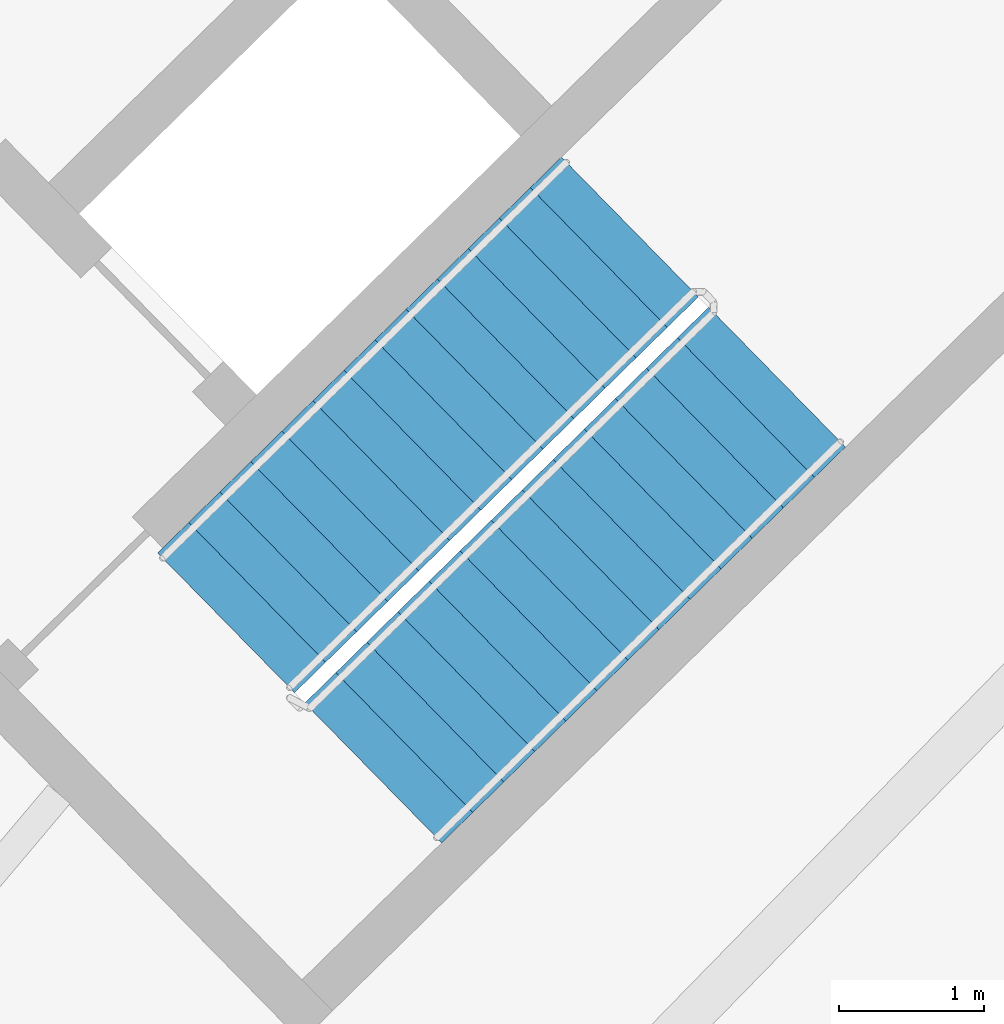
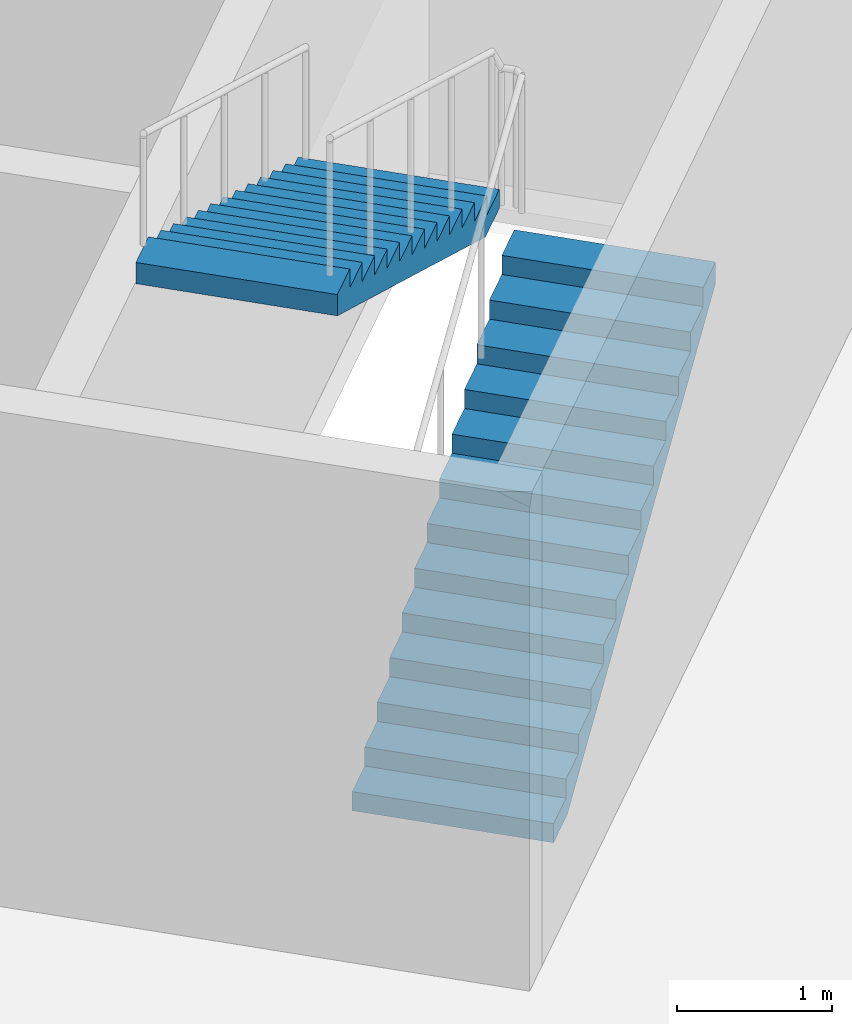
# One storey, part 9 of 11: 2 stair flights, 1 element without a shape of its own.
"""IFC4 building model written with IfcOpenShell, lengths in metres."""

from ifc_helpers import new_model, si_unit, direction, frame, origin, place, context, subcontext, project, spatial, polyline, outline, extrude, material, type_object, element, aggregate, save


model = new_model("IFC4")

# Units and contexts
model_context = context("Model", 3, precision=1e-05, world=origin(), true_north=direction((0.0, 1.0)))
body_context = subcontext(model_context, "Body", "Model", "MODEL_VIEW")
ifc_project = project(units=[si_unit("LENGTHUNIT", "METRE"), si_unit("AREAUNIT", "SQUARE_METRE"), si_unit("VOLUMEUNIT", "CUBIC_METRE"), si_unit("PLANEANGLEUNIT", "RADIAN"), si_unit("MASSUNIT", "GRAM", prefix="KILO")], contexts=[model_context])

# Site, building, storey
site_placement = place(None, origin())
site = spatial("IfcSite", under=ifc_project, at=site_placement, CompositionType="ELEMENT")
building_placement = place(site_placement, origin())
building = spatial("IfcBuilding", under=site, at=building_placement, Name="Tuul Gate Civic Tower", CompositionType="ELEMENT")
storey_placement = place(building_placement, frame((0.0, 0.0, 116.10009765625)))
storey = spatial("IfcBuildingStorey", under=building, at=storey_placement, Name="Level 26", CompositionType="ELEMENT", Elevation=116.10009765625)

# Stair, stair flights
ifc_material_1 = material(Name="Concrete C40/50", Category="concrete")
stair_type = type_object("IfcStairType", Name="Exit stair", PredefinedType="HALF_TURN_STAIR", material=ifc_material_1)
stair_placement = place(storey_placement, origin())
stair = element("IfcStair", 1, at=stair_placement, inside=storey, type_object=stair_type, Name="Level 26 ST-3", PredefinedType="HALF_TURN_STAIR")
ifc_material_2 = material(Name="Concrete C40/50", Category="concrete")
stair_flight_type = type_object("IfcStairFlightType", Name="Exit stair flight", PredefinedType="STRAIGHT", material=ifc_material_2)
stair_flight_1_placement = place(storey_placement, frame((48.61376953125, -16.581787109375, 0.0), z_axis=(0.0, 0.0, 1.0), x_axis=(0.714127290059, 0.700015866672, 0.0)))
stair_flight_1 = element("IfcStairFlight", 2, at=stair_flight_1_placement, type_object=stair_flight_type, Name="ST-3 flight 1", NumberOfRisers=14, NumberOfTreads=13, PredefinedType="STRAIGHT", RiserHeight=0.15, TreadLength=0.3, context=body_context, shape_type="SweptSolid", body=[
    extrude(outline(polyline([(0.0, 0.0), (0.0, 0.14990234375), (0.300048828125, 0.14990234375), (0.300048828125, 0.300048828125), (0.60009765625, 0.300048828125), (0.60009765625, 0.449951171875), (0.89990234375, 0.449951171875), (0.89990234375, 0.60009765625), (1.199951171875, 0.60009765625), (1.199951171875, 0.75), (1.5, 0.75), (1.5, 0.89990234375), (1.800048828125, 0.89990234375), (1.800048828125, 1.050048828125), (2.10009765625, 1.050048828125), (2.10009765625, 1.199951171875), (2.39990234375, 1.199951171875), (2.39990234375, 1.35009765625), (2.699951171875, 1.35009765625), (2.699951171875, 1.5), (3.0, 1.5), (3.0, 1.64990234375), (3.300048828125, 1.64990234375), (3.300048828125, 1.800048828125), (3.60009765625, 1.800048828125), (3.60009765625, 1.949951171875), (3.89990234375, 1.949951171875), (3.89990234375, 2.10009765625), (3.89990234375, 1.782470703125), (0.335205078125, 0.0), (0.0, 0.0)])), frame((0.0, 0.675048828125, 0.0), z_axis=(0.0, -1.0, 0.0), x_axis=(1.0, 0.0, 0.0)), (0.0, 0.0, 1.0), 1.35009765625),
])
stair_flight_2_placement = place(storey_placement, frame((50.3837890625, -12.816162109375, 2.099853515625), z_axis=(0.0, 0.0, 1.0), x_axis=(-0.714127290059, -0.700015866672, 0.0)))
stair_flight_2 = element("IfcStairFlight", 3, at=stair_flight_2_placement, type_object=stair_flight_type, Name="ST-3 flight 2", NumberOfRisers=14, NumberOfTreads=13, PredefinedType="STRAIGHT", RiserHeight=0.15, TreadLength=0.3, context=body_context, shape_type="SweptSolid", body=[
    extrude(outline(polyline([(0.0, 0.0), (0.0, 0.14990234375), (0.300048828125, 0.14990234375), (0.300048828125, 0.300048828125), (0.60009765625, 0.300048828125), (0.60009765625, 0.449951171875), (0.89990234375, 0.449951171875), (0.89990234375, 0.60009765625), (1.199951171875, 0.60009765625), (1.199951171875, 0.75), (1.5, 0.75), (1.5, 0.89990234375), (1.800048828125, 0.89990234375), (1.800048828125, 1.050048828125), (2.10009765625, 1.050048828125), (2.10009765625, 1.199951171875), (2.39990234375, 1.199951171875), (2.39990234375, 1.35009765625), (2.699951171875, 1.35009765625), (2.699951171875, 1.5), (3.0, 1.5), (3.0, 1.64990234375), (3.300048828125, 1.64990234375), (3.300048828125, 1.800048828125), (3.60009765625, 1.800048828125), (3.60009765625, 1.949951171875), (3.89990234375, 1.949951171875), (3.89990234375, 2.10009765625), (3.89990234375, 1.782470703125), (0.335205078125, 0.0), (0.0, 0.0)])), frame((0.0, 0.675048828125, 0.0), z_axis=(0.0, -1.0, 0.0), x_axis=(1.0, 0.0, 0.0)), (0.0, 0.0, 1.0), 1.35009765625),
])
aggregate(stair, [stair_flight_1, stair_flight_2])

save(model, "model.ifc")
